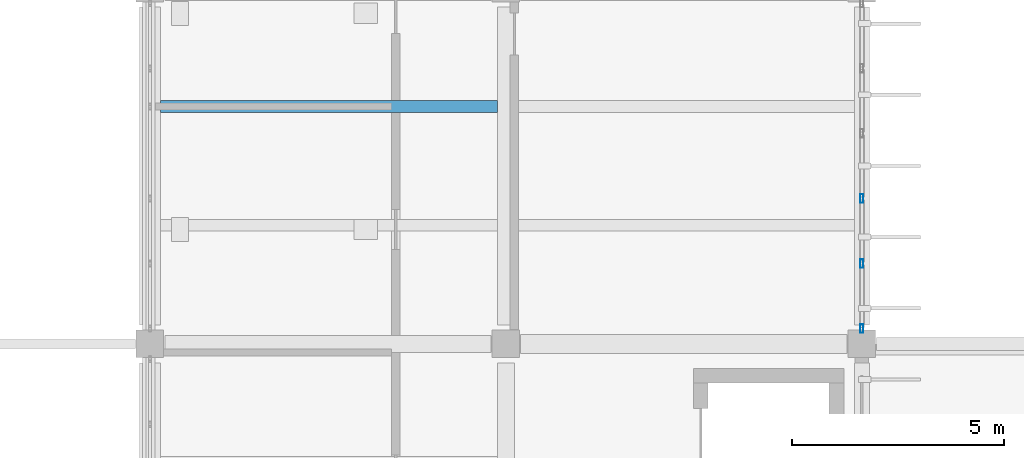
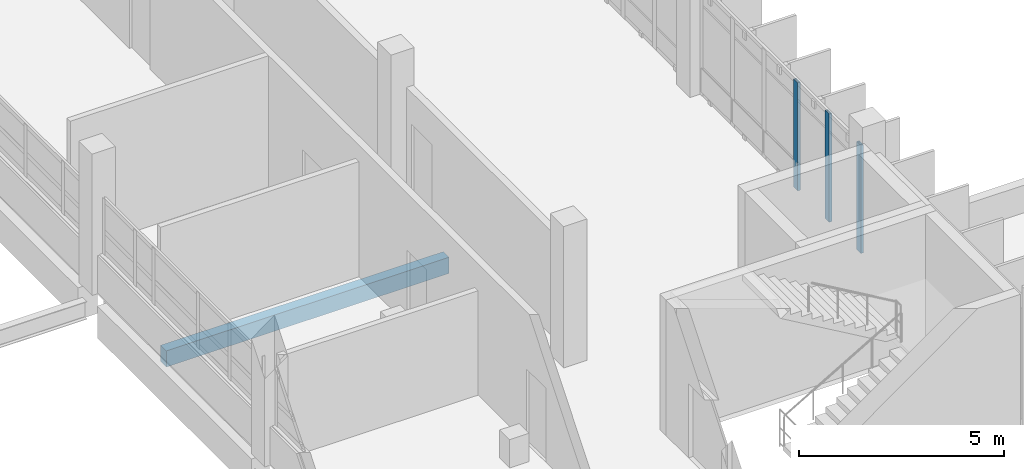
# One storey, part 40 of 101: 3 members, 1 beam, 1 element without a shape of its own.
"""IFC4 building model written with IfcOpenShell, lengths in metres."""

from ifc_helpers import new_model, si_unit, direction, frame, origin, origin_2d, place, context, subcontext, project, spatial, rectangle, hollow_rectangle, extrude, material, layer, layer_set, material_profile, profile_set, type_object, element, aggregate, save


model = new_model("IFC4")

# Units and contexts
model_context = context("Model", 3, precision=1e-05, world=origin(), true_north=direction((0.0, 1.0)))
body_context = subcontext(model_context, "Body", "Model", "MODEL_VIEW")
ifc_project = project(units=[si_unit("LENGTHUNIT", "METRE"), si_unit("AREAUNIT", "SQUARE_METRE"), si_unit("VOLUMEUNIT", "CUBIC_METRE"), si_unit("PLANEANGLEUNIT", "RADIAN"), si_unit("MASSUNIT", "GRAM", prefix="KILO")], contexts=[model_context])

# Site, building, storey
site_placement = place(None, origin())
site = spatial("IfcSite", under=ifc_project, at=site_placement, CompositionType="ELEMENT")
building_placement = place(site_placement, origin())
building = spatial("IfcBuilding", under=site, at=building_placement, Name="Vireocrest Preparatory School", CompositionType="ELEMENT")
storey_placement = place(building_placement, frame((0.0, 0.0, 4.800048828125)))
storey = spatial("IfcBuildingStorey", under=building, at=storey_placement, Name="L01", CompositionType="ELEMENT", Elevation=4.800048828125)

# Curtain wall, members
ifc_material_1 = material(Name="Thermally broken aluminium EN AW-6063-T6", Category="aluminium")
ifc_layer = layer(ifc_material_1, 0.179931640625)
ifc_layer_set = layer_set([ifc_layer], Name="Thermally broken aluminium EN AW-6063-T6")
curtain_wall_type = type_object("IfcCurtainWallType", Name="Teaching Fin Curtain Wall 8400x4200", PredefinedType="USERDEFINED", material=ifc_layer_set)
curtain_wall_placement = place(storey_placement, origin())
curtain_wall = element("IfcCurtainWall", 1, at=curtain_wall_placement, inside=storey, type_object=curtain_wall_type, Name="Curtain Wall CW03 CW_L01_CW03_1092_0525_048", ObjectType="CURTAIN WALL", PredefinedType="USERDEFINED")
ifc_material_profile_1 = material_profile(ifc_material_1, hollow_rectangle(XDim=0.074951171875, YDim=0.199951171875, WallThickness=0.0048828125, at=origin_2d()), Name="ALU 75x200x5")
ifc_profile_set_1 = profile_set([ifc_material_profile_1], Name="Thermally broken aluminium EN AW-6063-T6")
member_type = type_object("IfcMemberType", Name="CW Mullion 75x200x5", PredefinedType="MULLION", material=ifc_profile_set_1)
member_1_placement = place(storey_placement, frame((109.199951171875, 52.56005859375, 0.0), z_axis=(0.0, 0.0, 1.0), x_axis=(1.0, 0.0, 0.0)))
member_1 = element("IfcMember", 2, at=member_1_placement, type_object=member_type, Name="CW Mullion ML3 CW_L01_CW03_1092_0525_048-1", PredefinedType="MULLION", context=body_context, shape_type="SweptSolid", body=[
    extrude(hollow_rectangle(XDim=0.074951171875, YDim=0.199951171875, WallThickness=0.0048828125, at=origin_2d()), origin(), (0.0, 0.0, 1.0), 3.21484375),
])
member_2_placement = place(storey_placement, frame((109.199951171875, 54.095947265625, 0.0), z_axis=(0.0, 0.0, 1.0), x_axis=(1.0, 0.0, 0.0)))
member_2 = element("IfcMember", 3, at=member_2_placement, type_object=member_type, Name="CW Mullion ML3 CW_L01_CW03_1092_0525_048-2", PredefinedType="MULLION", context=body_context, shape_type="SweptSolid", body=[
    extrude(hollow_rectangle(XDim=0.074951171875, YDim=0.199951171875, WallThickness=0.0048828125, at=origin_2d()), origin(), (0.0, 0.0, 1.0), 3.21484375),
])
member_3_placement = place(storey_placement, frame((109.199951171875, 55.632080078125, 0.0), z_axis=(0.0, 0.0, 1.0), x_axis=(1.0, 0.0, 0.0)))
member_3 = element("IfcMember", 4, at=member_3_placement, type_object=member_type, Name="CW Mullion ML3 CW_L01_CW03_1092_0525_048-3", PredefinedType="MULLION", context=body_context, shape_type="SweptSolid", body=[
    extrude(hollow_rectangle(XDim=0.074951171875, YDim=0.199951171875, WallThickness=0.0048828125, at=origin_2d()), origin(), (0.0, 0.0, 1.0), 3.21484375),
])
aggregate(curtain_wall, [member_1, member_2, member_3])

# Beam
ifc_material_2 = material(Name="Concrete 40 MPa", Category="concrete")
ifc_material_profile_2 = material_profile(ifc_material_2, rectangle(XDim=0.280029296875, YDim=0.47998046875, at=origin_2d()), Name="RC 280x480")
ifc_profile_set_2 = profile_set([ifc_material_profile_2], Name="Concrete 40 MPa")
beam_type = type_object("IfcBeamType", Name="RC Secondary Lab Joist 280x480", PredefinedType="JOIST", material=ifc_profile_set_2)
beam_placement = place(storey_placement, frame((92.64990234375, 57.800048828125, -0.5), z_axis=(1.0, 0.0, 0.0), x_axis=(0.0, 1.0, 0.0)))
element("IfcBeam", 5, at=beam_placement, inside=storey, type_object=beam_type, Name="Secondary Joist J02 L01-0596", PredefinedType="JOIST", context=body_context, shape_type="SweptSolid", body=[
    extrude(rectangle(XDim=0.280029296875, YDim=0.47998046875, at=origin_2d()), origin(), (0.0, 0.0, 1.0), 7.9501953125),
])

save(model, "model.ifc")
